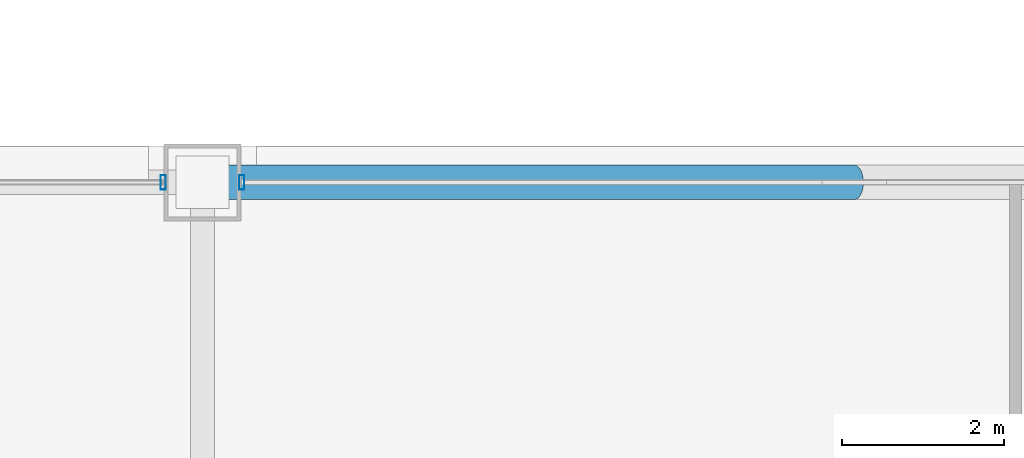
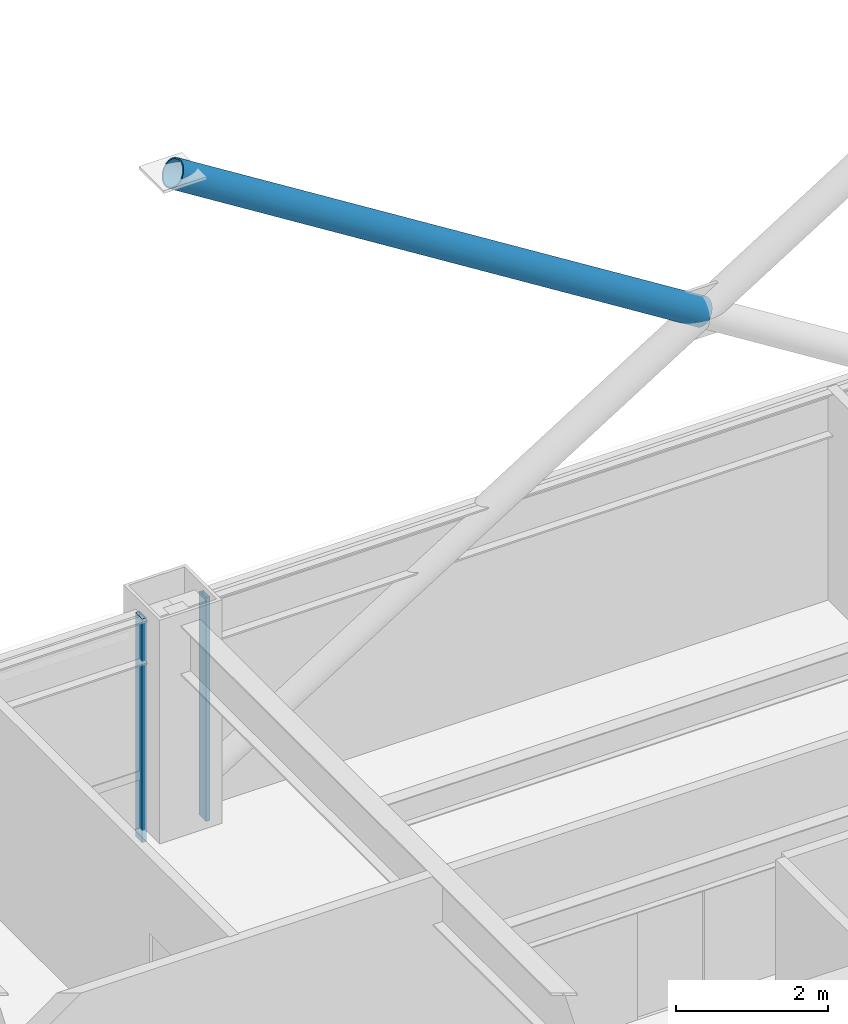
# One storey, part 21 of 34: 3 members, 2 elements without a shape of their own.
"""IFC4 building model written with IfcOpenShell, lengths in metres."""

from ifc_helpers import new_model, si_unit, direction, frame, origin, origin_2d, place, context, subcontext, project, spatial, hollow_rectangle, hollow_circle, extrude, material, layer, layer_set, material_profile, profile_set, type_object, element, aggregate, save


model = new_model("IFC4")

# Units and contexts
model_context = context("Model", 3, precision=1e-05, world=origin(), true_north=direction((0.0, 1.0)))
body_context = subcontext(model_context, "Body", "Model", "MODEL_VIEW")
ifc_project = project(units=[si_unit("LENGTHUNIT", "METRE"), si_unit("AREAUNIT", "SQUARE_METRE"), si_unit("VOLUMEUNIT", "CUBIC_METRE"), si_unit("PLANEANGLEUNIT", "RADIAN"), si_unit("MASSUNIT", "GRAM", prefix="KILO")], contexts=[model_context])

# Site, building, storey
site_placement = place(None, origin())
site = spatial("IfcSite", under=ifc_project, at=site_placement, CompositionType="ELEMENT")
building_placement = place(site_placement, origin())
building = spatial("IfcBuilding", under=site, at=building_placement, Name="Brelmoor Portico Tower", CompositionType="ELEMENT")
storey_placement = place(building_placement, frame((0.0, 0.0, 45.60009765625)))
storey = spatial("IfcBuildingStorey", under=building, at=storey_placement, Name="L11", CompositionType="ELEMENT", Elevation=45.60009765625)

# Member
ifc_material_1 = material(Name="Steel Q355B", Category="steel")
ifc_material_profile_1 = material_profile(ifc_material_1, hollow_circle(Radius=0.212890625, WallThickness=0.02001953125, at=origin_2d()), Name="CHS 426x20")
ifc_profile_set_1 = profile_set([ifc_material_profile_1], Name="Steel Q355B")
member_type_1 = type_object("IfcMemberType", Name="MB-BELT-DIAG1", PredefinedType="BRACE", material=ifc_profile_set_1)
member_1_placement = place(storey_placement, frame((0.0, 21.550048828125, 5.2998046875), z_axis=(-0.847109476093, 0.0, 0.531418418493), x_axis=(0.0, -1.0, 0.0)))
element("IfcMember", 1, at=member_1_placement, inside=storey, type_object=member_type_1, Name="L11 Split Mega-X Brace 020B2", PredefinedType="BRACE", context=body_context, shape_type="SweptSolid", body=[
    extrude(hollow_circle(Radius=0.212890625, WallThickness=0.02001953125, at=origin_2d()), origin(), (0.0, 0.0, 1.0), 9.5029296875),
])

# Curtain wall, member
ifc_material_2 = material(Name="Anodised Aluminium Alloy 6063-T6", Category="aluminium")
ifc_layer_1 = layer(ifc_material_2, 0.179931640625)
ifc_layer_set_1 = layer_set([ifc_layer_1], Name="Anodised Aluminium Alloy 6063-T6")
curtain_wall_type_1 = type_object("IfcCurtainWallType", Name="CW-TOWER-Z1", PredefinedType="NOTDEFINED", material=ifc_layer_set_1)
curtain_wall_1_placement = place(storey_placement, origin())
curtain_wall_1 = element("IfcCurtainWall", 2, at=curtain_wall_1_placement, inside=storey, type_object=curtain_wall_type_1, Name="L11 Curtain Wall CW-L11-2L-2", PredefinedType="NOTDEFINED")
ifc_material_profile_2 = material_profile(ifc_material_2, hollow_rectangle(XDim=0.06494140625, YDim=0.179931640625, WallThickness=0.00390625, at=origin_2d()), Name="ALU MULLION 65x180")
ifc_profile_set_2 = profile_set([ifc_material_profile_2], Name="Anodised Aluminium Alloy 6063-T6")
member_type_2 = type_object("IfcMemberType", Name="MB-CW-MULL-180", PredefinedType="MULLION", material=ifc_profile_set_2)
member_2_placement = place(storey_placement, frame((-8.534912109375, 21.550048828125, -0.2001953125), z_axis=(0.0, 0.0, 1.0), x_axis=(1.0, 0.0, 0.0)))
member_2 = element("IfcMember", 3, at=member_2_placement, type_object=member_type_2, Name="CW-L11-2L-2 Mullion 01", PredefinedType="MULLION", context=body_context, shape_type="SweptSolid", body=[
    extrude(hollow_rectangle(XDim=0.06494140625, YDim=0.179931640625, WallThickness=0.00390625, at=origin_2d()), origin(), (0.0, 0.0, 1.0), 3.60009765625),
])
aggregate(curtain_wall_1, [member_2])

ifc_layer_2 = layer(ifc_material_2, 0.179931640625)
ifc_layer_set_2 = layer_set([ifc_layer_2], Name="Anodised Aluminium Alloy 6063-T6")
curtain_wall_type_2 = type_object("IfcCurtainWallType", Name="CW-TOWER-Z1-XB", PredefinedType="NOTDEFINED", material=ifc_layer_set_2)
curtain_wall_2_placement = place(storey_placement, origin())
curtain_wall_2 = element("IfcCurtainWall", 4, at=curtain_wall_2_placement, inside=storey, type_object=curtain_wall_type_2, Name="L11 Curtain Wall CW-L11-2L-3", PredefinedType="NOTDEFINED")
member_3_placement = place(storey_placement, frame((-7.56494140625, 21.550048828125, -0.2001953125), z_axis=(0.0, 0.0, 1.0), x_axis=(1.0, 0.0, 0.0)))
member_3 = element("IfcMember", 5, at=member_3_placement, type_object=member_type_2, Name="CW-L11-2L-3 Mullion 00", PredefinedType="MULLION", context=body_context, shape_type="SweptSolid", body=[
    extrude(hollow_rectangle(XDim=0.06494140625, YDim=0.179931640625, WallThickness=0.00390625, at=origin_2d()), origin(), (0.0, 0.0, 1.0), 3.60009765625),
])
aggregate(curtain_wall_2, [member_3])

save(model, "model.ifc")
